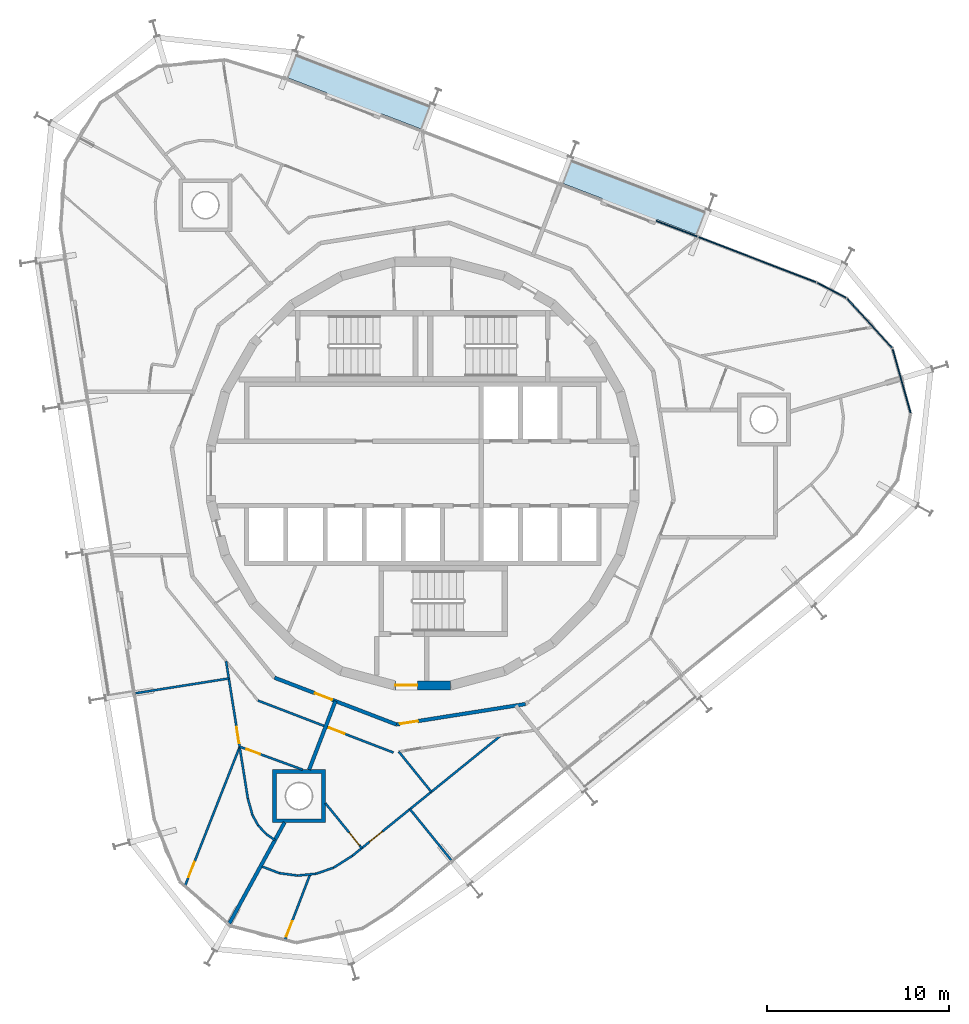
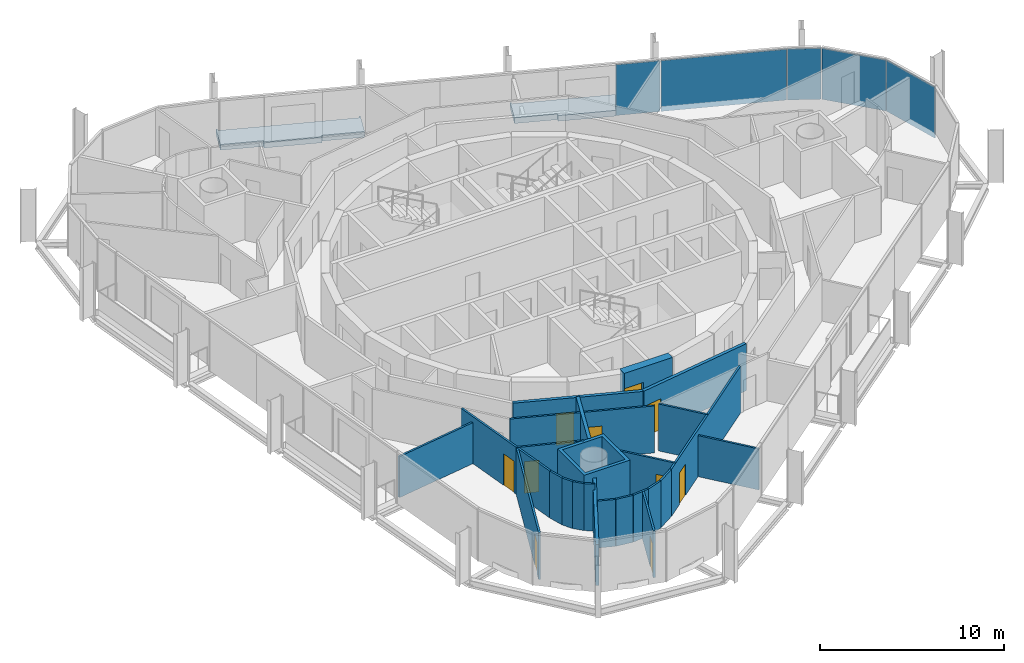
# One storey, part 11 of 17: 25 walls, 10 doors, 5 plates, 2 slabs, 10 openings, 2 elements without a shape of their own.
"""IFC4 building model written with IfcOpenShell, lengths in metres."""

from ifc_helpers import new_model, si_unit, direction, frame, frame_2d, origin, origin_2d, place, context, subcontext, project, spatial, polyline, rectangle, outline, extrude, material, layer, layer_set, type_object, element, fill, aggregate, save


model = new_model("IFC4")

# Units and contexts
model_context = context("Model", 3, precision=1e-05, world=origin(), true_north=direction((0.0, 1.0)))
body_context = subcontext(model_context, "Body", "Model", "MODEL_VIEW")
ifc_project = project(units=[si_unit("LENGTHUNIT", "METRE"), si_unit("AREAUNIT", "SQUARE_METRE"), si_unit("VOLUMEUNIT", "CUBIC_METRE"), si_unit("PLANEANGLEUNIT", "RADIAN"), si_unit("MASSUNIT", "GRAM", prefix="KILO")], contexts=[model_context])

# Site, building, storey
site_placement = place(None, origin())
site = spatial("IfcSite", under=ifc_project, at=site_placement, CompositionType="ELEMENT")
building_placement = place(site_placement, origin())
building = spatial("IfcBuilding", under=site, at=building_placement, Name="Spindle Arch Residences", CompositionType="ELEMENT")
storey_placement = place(building_placement, frame((0.0, 0.0, 266.89990234375)))
storey = spatial("IfcBuildingStorey", under=building, at=storey_placement, Name="L68", CompositionType="ELEMENT", Elevation=266.89990234375)

# Slabs
ifc_material_1 = material(Name="Concrete C40/50", Category="concrete")
ifc_layer_1 = layer(ifc_material_1, 0.3798828125)
ifc_layer_set_1 = layer_set([ifc_layer_1], Name="Balcony slab 380")
slab_type = type_object("IfcSlabType", Name="Balcony slab 380", PredefinedType="FLOOR", material=ifc_layer_set_1)
slab_1_placement = place(storey_placement, frame((0.0, 0.0, -0.3798828125)))
element("IfcSlab", 1, at=slab_1_placement, inside=storey, type_object=slab_type, Name="Balcony L68 bay 6", PredefinedType="FLOOR", context=body_context, shape_type="SweptSolid", body=[
    extrude(outline(polyline([(15.6220703125, 14.511962890625), (15.552001953125, 14.538818359375), (15.498291015625, 14.39892578125), (8.209228515625, 17.19677734375), (8.26318359375, 17.3369140625), (8.193115234375, 17.36376953125), (7.6591796875, 15.97265625), (9.8798828125, 15.120361328125), (9.822509765625, 14.970947265625), (12.81005859375, 13.823974609375), (12.867431640625, 13.973388671875), (15.088134765625, 13.12109375), (15.6220703125, 14.511962890625)])), origin(), (0.0, 0.0, 1.0), 0.3798828125),
])
slab_2_placement = place(storey_placement, frame((0.0, 0.0, -0.3798828125)))
element("IfcSlab", 2, at=slab_2_placement, inside=storey, type_object=slab_type, Name="Balcony L68 bay 8", PredefinedType="FLOOR", context=body_context, shape_type="SweptSolid", body=[
    extrude(outline(polyline([(0.48388671875, 20.322998046875), (0.413818359375, 20.349853515625), (0.360107421875, 20.2099609375), (-6.928955078125, 23.0078125), (-6.875, 23.14794921875), (-6.945068359375, 23.1748046875), (-7.47900390625, 21.78369140625), (-5.25830078125, 20.93115234375), (-5.315673828125, 20.781982421875), (-2.328125, 19.635009765625), (-2.270751953125, 19.784423828125), (-0.050048828125, 18.931884765625), (0.48388671875, 20.322998046875)])), origin(), (0.0, 0.0, 1.0), 0.3798828125),
])

# Curtain wall, plates
ifc_material_2 = material(Name="Aluminium bronze unitised frame with tinted glass", Category="aluminium")
ifc_layer_2 = layer(ifc_material_2, 0.159912109375)
ifc_layer_set_2 = layer_set([ifc_layer_2], Name="CW-D corner wall on the fillet arcs")
curtain_wall_type_1 = type_object("IfcCurtainWallType", Name="CW-D corner wall on the fillet arcs", PredefinedType="NOTDEFINED", material=ifc_layer_set_2)
curtain_wall_1_placement = place(storey_placement, origin())
curtain_wall_1 = element("IfcCurtainWall", 3, at=curtain_wall_1_placement, inside=storey, type_object=curtain_wall_type_1, Name="CW-D L68 run 1", PredefinedType="NOTDEFINED")
ifc_material_3 = material(Name="Tinted double glazing over non-combustible spandrel zone with 0.55 mm stainless steel cavity fire stop (K0)", Category="steel")
ifc_layer_3 = layer(ifc_material_3, 0.070068359375)
ifc_layer_set_3 = layer_set([ifc_layer_3], Name="Unitised glass panel with spandrel zone and stainless cavity fire stop")
plate_type = type_object("IfcPlateType", Name="Unitised glass panel with spandrel zone and stainless cavity fire stop", PredefinedType="CURTAIN_PANEL", material=ifc_layer_set_3)
plate_1_placement = place(storey_placement, frame((26.32958984375, 5.09423828125, -0.3798828125), z_axis=(0.0, 0.0, 1.0), x_axis=(-0.270040328007, 0.962849012696, 0.0)))
plate_1 = element("IfcPlate", 4, at=plate_1_placement, type_object=plate_type, Name="CW-D unit 03", PredefinedType="CURTAIN_PANEL", context=body_context, shape_type="SweptSolid", body=[
    extrude(rectangle(XDim=3.666748046875, YDim=0.070068359375, at=origin_2d()), origin(), (0.0, 0.0, 1.0), 3.3798828125),
])
plate_2_placement = place(storey_placement, frame((24.571533203125, 8.265869140625, -0.3798828125), z_axis=(0.0, 0.0, 1.0), x_axis=(-0.673442702134, 0.73923942464, 0.0)))
plate_2 = element("IfcPlate", 5, at=plate_2_placement, type_object=plate_type, Name="CW-D unit 04", PredefinedType="CURTAIN_PANEL", context=body_context, shape_type="SweptSolid", body=[
    extrude(rectangle(XDim=3.666748046875, YDim=0.070068359375, at=origin_2d()), origin(), (0.0, 0.0, 1.0), 3.3798828125),
])
plate_3_placement = place(storey_placement, frame((22.48583984375, 10.078857421875, -0.3798828125), z_axis=(0.0, 0.0, 1.0), x_axis=(-0.885663912754, 0.464326860783, 0.0)))
plate_3 = element("IfcPlate", 6, at=plate_3_placement, type_object=plate_type, Name="CW-D unit 05", PredefinedType="CURTAIN_PANEL", context=body_context, shape_type="SweptSolid", body=[
    extrude(rectangle(XDim=1.816162109375, YDim=0.070068359375, at=origin_2d()), origin(), (0.0, 0.0, 1.0), 3.3798828125),
])
plate_4_placement = place(storey_placement, frame((18.392333984375, 11.76708984375, -0.3798828125), z_axis=(0.0, 0.0, 1.0), x_axis=(-0.933580426497, 0.358367949545, 0.0)))
plate_4 = element("IfcPlate", 7, at=plate_4_placement, type_object=plate_type, Name="CW-D unit 06", PredefinedType="CURTAIN_PANEL", context=body_context, shape_type="SweptSolid", body=[
    extrude(rectangle(XDim=6.9296875, YDim=0.070068359375, at=origin_2d()), origin(), (0.0, 0.0, 1.0), 3.3798828125),
])
aggregate(curtain_wall_1, [plate_1, plate_2, plate_3, plate_4])

# Curtain wall, plate
ifc_material_4 = material(Name="Aluminium bronze unitised frame with tinted glass", Category="aluminium")
ifc_layer_4 = layer(ifc_material_4, 0.159912109375)
ifc_layer_set_4 = layer_set([ifc_layer_4], Name="CW-C typical residential unitised wall")
curtain_wall_type_2 = type_object("IfcCurtainWallType", Name="CW-C typical residential unitised wall", PredefinedType="NOTDEFINED", material=ifc_layer_set_4)
curtain_wall_2_placement = place(storey_placement, origin())
curtain_wall_2 = element("IfcCurtainWall", 8, at=curtain_wall_2_placement, inside=storey, type_object=curtain_wall_type_2, Name="CW-C L68 run 2", PredefinedType="NOTDEFINED")
plate_5_placement = place(storey_placement, frame((13.969970703125, 13.46435546875, -0.3798828125), z_axis=(0.0, 0.0, 1.0), x_axis=(-0.933580426497, 0.358367949545, 0.0)))
plate_5 = element("IfcPlate", 9, at=plate_5_placement, type_object=plate_type, Name="CW-C unit 05L", PredefinedType="CURTAIN_PANEL", context=body_context, shape_type="SweptSolid", body=[
    extrude(rectangle(XDim=2.423828125, YDim=0.070068359375, at=origin_2d()), origin(), (0.0, 0.0, 1.0), 3.3798828125),
])
aggregate(curtain_wall_2, [plate_5])

# Wall, opening, door
ifc_material_5 = material(Name="Concrete C50/60", Category="concrete")
ifc_layer_5 = layer(ifc_material_5, 0.5)
ifc_layer_set_5 = layer_set([ifc_layer_5], Name="Core outline wall 500")
wall_type_1 = type_object("IfcWallType", Name="Core outline wall 500", PredefinedType="SHEAR", material=ifc_layer_set_5)
wall_1_placement = place(storey_placement, frame((-1.516357421875, -11.647216796875, 0.0), z_axis=(0.0, 0.0, 1.0), x_axis=(1.0, 0.0, 0.0)))
wall_1 = element("IfcWall", 10, at=wall_1_placement, inside=storey, type_object=wall_type_1, Name="Core outline wall 24", PredefinedType="SHEAR", context=body_context, shape_type="SweptSolid", body=[
    extrude(rectangle(XDim=3.03271484375, YDim=0.5, at=frame_2d((1.516357421875, 0.0))), origin(), (0.0, 0.0, 1.0), 3.1201171875),
])
opening_1_placement = place(wall_1_placement, frame((0.016357421875, 0.0, 0.0)))
opening_1 = element("IfcOpeningElement", 11, at=opening_1_placement, cuts=wall_1, Name="Opening R7A1-AD03", PredefinedType="OPENING", context=body_context, shape_type="SweptSolid", body=[
    extrude(rectangle(XDim=1.199951171875, YDim=2.10009765625, at=frame_2d((0.60009765625, 1.050048828125))), frame((0.0, 0.260009765625, 0.0), z_axis=(0.0, -1.0, 0.0), x_axis=(1.0, 0.0, 0.0)), (0.0, 0.0, 1.0), 0.52001953125),
])
ifc_material_6 = material(Name="Steel, fire-resisting door", Category="steel")
door_type_1 = type_object("IfcDoorType", Name="Stair airlock door 1200x2100", OperationType="SINGLE_SWING_LEFT", PredefinedType="DOOR", material=ifc_material_6)
door_1_placement = place(opening_1_placement, origin())
door_1 = element("IfcDoor", 12, at=door_1_placement, inside=storey, type_object=door_type_1, Name="Stair airlock door R7A1-AD03", OperationType="SINGLE_SWING_RIGHT", OverallHeight=2.10009765625, OverallWidth=1.199951171875, PredefinedType="DOOR", context=body_context, shape_type="SweptSolid", body=[
    extrude(rectangle(XDim=1.199951171875, YDim=2.10009765625, at=frame_2d((0.60009765625, 1.050048828125))), frame((0.0, 0.02490234375, 0.0), z_axis=(0.0, -1.0, 0.0), x_axis=(1.0, 0.0, 0.0)), (0.0, 0.0, 1.0), 0.050048828125),
])
fill(opening_1, door_1)

ifc_material_7 = material(Name="Calcium silicate block, plastered")
ifc_layer_6 = layer(ifc_material_7, 0.199951171875)
ifc_layer_set_6 = layer_set([ifc_layer_6], Name="Corridor wall 200")
wall_type_2 = type_object("IfcWallType", Name="Corridor wall 200", PredefinedType="STANDARD", material=ifc_layer_set_6)
wall_2_placement = place(storey_placement, frame((-8.154296875, -11.223388671875, 0.0), z_axis=(0.0, 0.0, 1.0), x_axis=(0.93359073609, -0.358341090983, 0.0)))
wall_2 = element("IfcWall", 13, at=wall_2_placement, inside=storey, type_object=wall_type_2, Name="Corridor wall R7A1-W013", PredefinedType="STANDARD", context=body_context, shape_type="SweptSolid", body=[
    extrude(rectangle(XDim=7.180908203125, YDim=0.199951171875, at=frame_2d((3.59033203125, 0.0))), origin(), (0.0, 0.0, 1.0), 3.1201171875),
])
opening_2_placement = place(wall_2_placement, frame((2.390380859375, 0.0, 0.0)))
opening_2 = element("IfcOpeningElement", 14, at=opening_2_placement, cuts=wall_2, Name="Opening R7A1-FD04", PredefinedType="OPENING", context=body_context, shape_type="SweptSolid", body=[
    extrude(rectangle(XDim=1.0, YDim=2.10009765625, at=frame_2d((0.5, 1.050048828125))), frame((0.0, 0.10986328125, 0.0), z_axis=(0.0, -1.0, 0.0), x_axis=(1.0, 0.0, 0.0)), (0.0, 0.0, 1.0), 0.219970703125),
])
ifc_material_8 = material(Name="Timber, fire-resisting door set", Category="wood")
door_type_2 = type_object("IfcDoorType", Name="Flat entrance door 1000x2100", OperationType="NOTDEFINED", PredefinedType="DOOR", material=ifc_material_8)
door_2_placement = place(opening_2_placement, origin())
door_2 = element("IfcDoor", 15, at=door_2_placement, inside=storey, type_object=door_type_2, Name="Flat entrance door R7A1-FD04", OperationType="SINGLE_SWING_RIGHT", OverallHeight=2.10009765625, OverallWidth=1.0, PredefinedType="DOOR", context=body_context, shape_type="SweptSolid", body=[
    extrude(rectangle(XDim=1.0, YDim=2.10009765625, at=frame_2d((0.5, 1.050048828125))), frame((0.0, 0.02490234375, 0.0), z_axis=(0.0, -1.0, 0.0), x_axis=(1.0, 0.0, 0.0)), (0.0, 0.0, 1.0), 0.050048828125),
])
fill(opening_2, door_2)

wall_3_placement = place(storey_placement, frame((-1.4501953125, -13.796630859375, 0.0), z_axis=(0.0, 0.0, 1.0), x_axis=(0.987690361611, 0.156421704315, 0.0)))
wall_3 = element("IfcWall", 16, at=wall_3_placement, inside=storey, type_object=wall_type_2, Name="Corridor wall R7A1-W014", PredefinedType="STANDARD", context=body_context, shape_type="SweptSolid", body=[
    extrude(rectangle(XDim=7.18115234375, YDim=0.199951171875, at=frame_2d((3.590576171875, 0.0))), origin(), (0.0, 0.0, 1.0), 3.1201171875),
])
opening_3_placement = place(wall_3_placement, frame((0.199951171875, 0.0, 0.0)))
opening_3 = element("IfcOpeningElement", 17, at=opening_3_placement, cuts=wall_3, Name="Opening R7A1-FD05", PredefinedType="OPENING", context=body_context, shape_type="SweptSolid", body=[
    extrude(rectangle(XDim=1.0, YDim=2.10009765625, at=frame_2d((0.5, 1.050048828125))), frame((0.0, 0.10986328125, 0.0), z_axis=(0.0, -1.0, 0.0), x_axis=(1.0, 0.0, 0.0)), (0.0, 0.0, 1.0), 0.219970703125),
])
door_3_placement = place(opening_3_placement, origin())
door_3 = element("IfcDoor", 18, at=door_3_placement, inside=storey, type_object=door_type_2, Name="Flat entrance door R7A1-FD05", OperationType="SINGLE_SWING_LEFT", OverallHeight=2.10009765625, OverallWidth=1.0, PredefinedType="DOOR", context=body_context, shape_type="SweptSolid", body=[
    extrude(rectangle(XDim=1.0, YDim=2.10009765625, at=frame_2d((0.5, 1.050048828125))), frame((0.0, 0.02490234375, 0.0), z_axis=(0.0, -1.0, 0.0), x_axis=(1.0, 0.0, 0.0)), (0.0, 0.0, 1.0), 0.050048828125),
])
fill(opening_3, door_3)

ifc_material_9 = material(Name="Plasterboard on steel studs", Category="steel")
ifc_layer_7 = layer(ifc_material_9, 0.1201171875)
ifc_layer_set_7 = layer_set([ifc_layer_7], Name="Flat partition 120")
wall_type_3 = type_object("IfcWallType", Name="Flat partition 120", PredefinedType="PARTITIONING", material=ifc_layer_set_7)
wall_4_placement = place(storey_placement, frame((-9.06689453125, -12.4794921875, 0.0), z_axis=(0.0, 0.0, 1.0), x_axis=(0.933579449035, -0.358370495911, 0.0)))
wall_4 = element("IfcWall", 19, at=wall_4_placement, inside=storey, type_object=wall_type_3, Name="Flat partition R7A1-W065", PredefinedType="PARTITIONING", context=body_context, shape_type="SweptSolid", body=[
    extrude(rectangle(XDim=7.98486328125, YDim=0.1201171875, at=frame_2d((3.992431640625, 0.0))), origin(), (0.0, 0.0, 1.0), 3.1201171875),
])
opening_4_placement = place(wall_4_placement, frame((4.1923828125, 0.0, 0.0)))
opening_4 = element("IfcOpeningElement", 20, at=opening_4_placement, cuts=wall_4, Name="Opening R7A1-ID18", PredefinedType="OPENING", context=body_context, shape_type="SweptSolid", body=[
    extrude(rectangle(XDim=0.89990234375, YDim=2.10009765625, at=frame_2d((0.449951171875, 1.050048828125))), frame((0.0, 0.070068359375, 0.0), z_axis=(0.0, -1.0, 0.0), x_axis=(1.0, 0.0, 0.0)), (0.0, 0.0, 1.0), 0.14013671875),
])
ifc_material_10 = material(Name="Timber door set", Category="wood")
door_type_3 = type_object("IfcDoorType", Name="Room door 900x2100", OperationType="NOTDEFINED", PredefinedType="DOOR", material=ifc_material_10)
door_4_placement = place(opening_4_placement, origin())
door_4 = element("IfcDoor", 21, at=door_4_placement, inside=storey, type_object=door_type_3, Name="Room door R7A1-ID18", OperationType="SINGLE_SWING_RIGHT", OverallHeight=2.10009765625, OverallWidth=0.89990234375, PredefinedType="DOOR", context=body_context, shape_type="SweptSolid", body=[
    extrude(rectangle(XDim=0.89990234375, YDim=2.10009765625, at=frame_2d((0.449951171875, 1.050048828125))), frame((0.0, 0.02490234375, 0.0), z_axis=(0.0, -1.0, 0.0), x_axis=(1.0, 0.0, 0.0)), (0.0, 0.0, 1.0), 0.050048828125),
])
fill(opening_4, door_4)

wall_5_placement = place(storey_placement, frame((-9.619384765625, -17.87060546875, 0.0), z_axis=(0.0, 0.0, 1.0), x_axis=(-0.156433255633, 0.987688532146, 0.0)))
wall_5 = element("IfcWall", 22, at=wall_5_placement, inside=storey, type_object=wall_type_3, Name="Flat partition R7A1-W067", PredefinedType="PARTITIONING", context=body_context, shape_type="SweptSolid", body=[
    extrude(rectangle(XDim=7.64404296875, YDim=0.1201171875, at=frame_2d((3.822021484375, 0.0))), origin(), (0.0, 0.0, 1.0), 3.1201171875),
])
opening_5_placement = place(wall_5_placement, frame((3.08740234375, 0.0, 0.0)))
opening_5 = element("IfcOpeningElement", 23, at=opening_5_placement, cuts=wall_5, Name="Opening R7A1-ID16", PredefinedType="OPENING", context=body_context, shape_type="SweptSolid", body=[
    extrude(rectangle(XDim=0.89990234375, YDim=2.10009765625, at=frame_2d((0.449951171875, 1.050048828125))), frame((0.0, 0.070068359375, 0.0), z_axis=(0.0, -1.0, 0.0), x_axis=(1.0, 0.0, 0.0)), (0.0, 0.0, 1.0), 0.14013671875),
])
door_5_placement = place(opening_5_placement, origin())
door_5 = element("IfcDoor", 24, at=door_5_placement, inside=storey, type_object=door_type_3, Name="Room door R7A1-ID16", OperationType="SINGLE_SWING_RIGHT", OverallHeight=2.10009765625, OverallWidth=0.89990234375, PredefinedType="DOOR", context=body_context, shape_type="SweptSolid", body=[
    extrude(rectangle(XDim=0.89990234375, YDim=2.10009765625, at=frame_2d((0.449951171875, 1.050048828125))), frame((0.0, 0.02490234375, 0.0), z_axis=(0.0, -1.0, 0.0), x_axis=(1.0, 0.0, 0.0)), (0.0, 0.0, 1.0), 0.050048828125),
])
fill(opening_5, door_5)

wall_6_placement = place(storey_placement, frame((-13.0673828125, -22.658203125, 0.0), z_axis=(0.0, 0.0, 1.0), x_axis=(0.365785999331, 0.930698986082, 0.0)))
wall_6 = element("IfcWall", 25, at=wall_6_placement, inside=storey, type_object=wall_type_3, Name="Flat partition R7A1-W068", PredefinedType="PARTITIONING", context=body_context, shape_type="SweptSolid", body=[
    extrude(rectangle(XDim=8.1962890625, YDim=0.1201171875, at=frame_2d((4.09814453125, 0.0))), origin(), (0.0, 0.0, 1.0), 3.1201171875),
])
opening_6_placement = place(wall_6_placement, frame((0.5, 0.0, 0.0)))
opening_6 = element("IfcOpeningElement", 26, at=opening_6_placement, cuts=wall_6, Name="Opening R7A1-ID17", PredefinedType="OPENING", context=body_context, shape_type="SweptSolid", body=[
    extrude(rectangle(XDim=0.89990234375, YDim=2.10009765625, at=frame_2d((0.449951171875, 1.050048828125))), frame((0.0, 0.070068359375, 0.0), z_axis=(0.0, -1.0, 0.0), x_axis=(1.0, 0.0, 0.0)), (0.0, 0.0, 1.0), 0.14013671875),
])
door_6_placement = place(opening_6_placement, origin())
door_6 = element("IfcDoor", 27, at=door_6_placement, inside=storey, type_object=door_type_3, Name="Room door R7A1-ID17", OperationType="SINGLE_SWING_RIGHT", OverallHeight=2.10009765625, OverallWidth=0.89990234375, PredefinedType="DOOR", context=body_context, shape_type="SweptSolid", body=[
    extrude(rectangle(XDim=0.89990234375, YDim=2.10009765625, at=frame_2d((0.449951171875, 1.050048828125))), frame((0.0, 0.02490234375, 0.0), z_axis=(0.0, -1.0, 0.0), x_axis=(1.0, 0.0, 0.0)), (0.0, 0.0, 1.0), 0.050048828125),
])
fill(opening_6, door_6)

wall_7_placement = place(storey_placement, frame((-10.0712890625, -15.018798828125, 0.0), z_axis=(0.0, 0.0, 1.0), x_axis=(0.939648507355, -0.34214131967, 0.0)))
wall_7 = element("IfcWall", 28, at=wall_7_placement, inside=storey, type_object=wall_type_3, Name="Flat partition R7A1-W069", PredefinedType="PARTITIONING", context=body_context, shape_type="SweptSolid", body=[
    extrude(rectangle(XDim=3.691162109375, YDim=0.1201171875, at=frame_2d((1.845703125, 0.0))), origin(), (0.0, 0.0, 1.0), 3.1201171875),
])
opening_7_placement = place(wall_7_placement, frame((0.39990234375, 0.0, 0.0)))
opening_7 = element("IfcOpeningElement", 29, at=opening_7_placement, cuts=wall_7, Name="Opening R7A1-BD04", PredefinedType="OPENING", context=body_context, shape_type="SweptSolid", body=[
    extrude(rectangle(XDim=0.800048828125, YDim=2.10009765625, at=frame_2d((0.39990234375, 1.050048828125))), frame((0.0, 0.070068359375, 0.0), z_axis=(0.0, -1.0, 0.0), x_axis=(1.0, 0.0, 0.0)), (0.0, 0.0, 1.0), 0.14013671875),
])
ifc_material_11 = material(Name="Timber door set", Category="wood")
door_type_4 = type_object("IfcDoorType", Name="Bathroom door 800x2100", OperationType="NOTDEFINED", PredefinedType="DOOR", material=ifc_material_11)
door_7_placement = place(opening_7_placement, origin())
door_7 = element("IfcDoor", 30, at=door_7_placement, inside=storey, type_object=door_type_4, Name="Bathroom door R7A1-BD04", OperationType="SINGLE_SWING_RIGHT", OverallHeight=2.10009765625, OverallWidth=0.800048828125, PredefinedType="DOOR", context=body_context, shape_type="SweptSolid", body=[
    extrude(rectangle(XDim=0.800048828125, YDim=2.10009765625, at=frame_2d((0.39990234375, 1.050048828125))), frame((0.0, 0.02490234375, 0.0), z_axis=(0.0, -1.0, 0.0), x_axis=(1.0, 0.0, 0.0)), (0.0, 0.0, 1.0), 0.050048828125),
])
fill(opening_7, door_7)

# Walls
wall_8_placement = place(storey_placement, frame((-8.13037109375, -20.15283203125, 0.0), z_axis=(0.0, 0.0, 1.0), x_axis=(-0.825599905246, 0.564255967145, 0.0)))
element("IfcWall", 31, at=wall_8_placement, inside=storey, type_object=wall_type_3, Name="Flat partition R7A1-W070", PredefinedType="PARTITIONING", context=body_context, shape_type="SweptSolid", body=[
    extrude(rectangle(XDim=0.59326171875, YDim=0.1201171875, at=frame_2d((0.296630859375, 0.0))), origin(), (0.0, 0.0, 1.0), 3.1201171875),
])
for number, where, z_axis, x_axis, name in (
    (32, (-8.6201171875, -19.818115234375, 0.0), (0.0, 0.0, 1.0), (-0.673448438961, 0.739234198385, 0.0), "Flat partition R7A1-W071"),
    (33, (-9.052490234375, -19.343505859375, 0.0), (0.0, 0.0, 1.0), (-0.485126357712, 0.874444061706, 0.0), "Flat partition R7A1-W072"),
):
    element("IfcWall", number, at=place(storey_placement, frame(where, z_axis=z_axis, x_axis=x_axis)), inside=storey, type_object=wall_type_3, Name=name, PredefinedType="PARTITIONING", context=body_context, shape_type="SweptSolid", body=[
        extrude(rectangle(XDim=0.64208984375, YDim=0.1201171875, at=frame_2d((0.321044921875, 0.0))), origin(), (0.0, 0.0, 1.0), 3.1201171875),
    ])
wall_9_placement = place(storey_placement, frame((-9.364013671875, -18.781982421875, 0.0), z_axis=(0.0, 0.0, 1.0), x_axis=(-0.269811707714, 0.962913102196, 0.0)))
element("IfcWall", 34, at=wall_9_placement, inside=storey, type_object=wall_type_3, Name="Flat partition R7A1-W073", PredefinedType="PARTITIONING", context=body_context, shape_type="SweptSolid", body=[
    extrude(rectangle(XDim=0.946533203125, YDim=0.1201171875, at=frame_2d((0.47314453125, 0.0))), origin(), (0.0, 0.0, 1.0), 3.1201171875),
])
wall_10_placement = place(storey_placement, frame((-5.8720703125, -22.006103515625, 0.0), z_axis=(0.0, 0.0, 1.0), x_axis=(-0.99510832942, -0.09878973995, 0.0)))
element("IfcWall", 35, at=wall_10_placement, inside=storey, type_object=wall_type_3, Name="Flat partition R7A1-W075", PredefinedType="PARTITIONING", context=body_context, shape_type="SweptSolid", body=[
    extrude(rectangle(XDim=1.015625, YDim=0.1201171875, at=frame_2d((0.5078125, 0.0))), origin(), (0.0, 0.0, 1.0), 3.1201171875),
])
wall_11_placement = place(storey_placement, frame((-6.8828125, -22.1064453125, 0.0), z_axis=(0.0, 0.0, 1.0), x_axis=(-0.991069822827, 0.133343939799, 0.0)))
element("IfcWall", 36, at=wall_11_placement, inside=storey, type_object=wall_type_3, Name="Flat partition R7A1-W076", PredefinedType="PARTITIONING", context=body_context, shape_type="SweptSolid", body=[
    extrude(rectangle(XDim=1.01611328125, YDim=0.1201171875, at=frame_2d((0.508056640625, 0.0))), origin(), (0.0, 0.0, 1.0), 3.1201171875),
])
wall_12_placement = place(storey_placement, frame((-7.889892578125, -21.970947265625, 0.0), z_axis=(0.0, 0.0, 1.0), x_axis=(-0.933574629243, 0.358383051545, 0.0)))
element("IfcWall", 37, at=wall_12_placement, inside=storey, type_object=wall_type_3, Name="Flat partition R7A1-W077", PredefinedType="PARTITIONING", context=body_context, shape_type="SweptSolid", body=[
    extrude(rectangle(XDim=1.015625, YDim=0.1201171875, at=frame_2d((0.5078125, 0.0))), origin(), (0.0, 0.0, 1.0), 3.1201171875),
])

# Wall, opening, door
wall_13_placement = place(storey_placement, frame((-7.57861328125, -25.6455078125, 0.0), z_axis=(0.0, 0.0, 1.0), x_axis=(0.358314257596, 0.933601035134, 0.0)))
wall_13 = element("IfcWall", 38, at=wall_13_placement, inside=storey, type_object=wall_type_3, Name="Flat partition R7A1-W078", PredefinedType="PARTITIONING", context=body_context, shape_type="SweptSolid", body=[
    extrude(rectangle(XDim=3.864013671875, YDim=0.1201171875, at=frame_2d((1.93212890625, 0.0))), origin(), (0.0, 0.0, 1.0), 3.1201171875),
])
opening_8_placement = place(wall_13_placement, frame((0.199951171875, 0.0, 0.0)))
opening_8 = element("IfcOpeningElement", 39, at=opening_8_placement, cuts=wall_13, Name="Opening R7A1-ID22", PredefinedType="OPENING", context=body_context, shape_type="SweptSolid", body=[
    extrude(rectangle(XDim=0.89990234375, YDim=2.10009765625, at=frame_2d((0.449951171875, 1.050048828125))), frame((0.0, 0.070068359375, 0.0), z_axis=(0.0, -1.0, 0.0), x_axis=(1.0, 0.0, 0.0)), (0.0, 0.0, 1.0), 0.14013671875),
])
door_8_placement = place(opening_8_placement, origin())
door_8 = element("IfcDoor", 40, at=door_8_placement, inside=storey, type_object=door_type_3, Name="Room door R7A1-ID22", OperationType="SINGLE_SWING_LEFT", OverallHeight=2.10009765625, OverallWidth=0.89990234375, PredefinedType="DOOR", context=body_context, shape_type="SweptSolid", body=[
    extrude(rectangle(XDim=0.89990234375, YDim=2.10009765625, at=frame_2d((0.449951171875, 1.050048828125))), frame((0.0, 0.02490234375, 0.0), z_axis=(0.0, -1.0, 0.0), x_axis=(1.0, 0.0, 0.0)), (0.0, 0.0, 1.0), 0.050048828125),
])
fill(opening_8, door_8)

wall_14_placement = place(storey_placement, frame((-3.35400390625, -20.597412109375, 0.0), z_axis=(0.0, 0.0, 1.0), x_axis=(-0.629352711751, 0.777119787556, 0.0)))
wall_14 = element("IfcWall", 41, at=wall_14_placement, inside=storey, type_object=wall_type_3, Name="Flat partition R7A1-W079", PredefinedType="PARTITIONING", context=body_context, shape_type="SweptSolid", body=[
    extrude(rectangle(XDim=3.18212890625, YDim=0.1201171875, at=frame_2d((1.591064453125, 0.0))), origin(), (0.0, 0.0, 1.0), 3.1201171875),
])
opening_9_placement = place(wall_14_placement, frame((0.199951171875, 0.0, 0.0)))
opening_9 = element("IfcOpeningElement", 42, at=opening_9_placement, cuts=wall_14, Name="Opening R7A1-ID20", PredefinedType="OPENING", context=body_context, shape_type="SweptSolid", body=[
    extrude(rectangle(XDim=0.89990234375, YDim=2.10009765625, at=frame_2d((0.449951171875, 1.050048828125))), frame((0.0, 0.070068359375, 0.0), z_axis=(0.0, -1.0, 0.0), x_axis=(1.0, 0.0, 0.0)), (0.0, 0.0, 1.0), 0.14013671875),
])
door_9_placement = place(opening_9_placement, origin())
door_9 = element("IfcDoor", 43, at=door_9_placement, inside=storey, type_object=door_type_3, Name="Room door R7A1-ID20", OperationType="SINGLE_SWING_LEFT", OverallHeight=2.10009765625, OverallWidth=0.89990234375, PredefinedType="DOOR", context=body_context, shape_type="SweptSolid", body=[
    extrude(rectangle(XDim=0.89990234375, YDim=2.10009765625, at=frame_2d((0.449951171875, 1.050048828125))), frame((0.0, 0.02490234375, 0.0), z_axis=(0.0, -1.0, 0.0), x_axis=(1.0, 0.0, 0.0)), (0.0, 0.0, 1.0), 0.050048828125),
])
fill(opening_9, door_9)

# Walls
wall_15_placement = place(storey_placement, frame((-5.8720703125, -22.006103515625, 0.0), z_axis=(0.0, 0.0, 1.0), x_axis=(0.945561838326, 0.325442483247, 0.0)))
element("IfcWall", 44, at=wall_15_placement, inside=storey, type_object=wall_type_3, Name="Flat partition R7A1-W080", PredefinedType="PARTITIONING", context=body_context, shape_type="SweptSolid", body=[
    extrude(rectangle(XDim=1.015625, YDim=0.1201171875, at=frame_2d((0.5078125, 0.0))), origin(), (0.0, 0.0, 1.0), 3.1201171875),
])
wall_16_placement = place(storey_placement, frame((-4.91162109375, -21.675537109375, 0.0), z_axis=(0.0, 0.0, 1.0), x_axis=(0.84494492492, 0.534853319941, 0.0)))
element("IfcWall", 45, at=wall_16_placement, inside=storey, type_object=wall_type_3, Name="Flat partition R7A1-W081", PredefinedType="PARTITIONING", context=body_context, shape_type="SweptSolid", body=[
    extrude(rectangle(XDim=1.2275390625, YDim=0.1201171875, at=frame_2d((0.61376953125, 0.0))), origin(), (0.0, 0.0, 1.0), 3.1201171875),
])

# Wall, opening, door
wall_17_placement = place(storey_placement, frame((-3.87451171875, -21.01904296875, 0.0), z_axis=(0.0, 0.0, 1.0), x_axis=(0.777149096542, 0.629316519523, 0.0)))
wall_17 = element("IfcWall", 46, at=wall_17_placement, inside=storey, type_object=wall_type_3, Name="Flat partition R7A1-W082", PredefinedType="PARTITIONING", context=body_context, shape_type="SweptSolid", body=[
    extrude(rectangle(XDim=10.50830078125, YDim=0.1201171875, at=frame_2d((5.254150390625, 0.0))), origin(), (0.0, 0.0, 1.0), 3.1201171875),
])
opening_10_placement = place(wall_17_placement, frame((1.22998046875, 0.0, 0.0)))
opening_10 = element("IfcOpeningElement", 47, at=opening_10_placement, cuts=wall_17, Name="Opening R7A1-ID21", PredefinedType="OPENING", context=body_context, shape_type="SweptSolid", body=[
    extrude(rectangle(XDim=0.89990234375, YDim=2.10009765625, at=frame_2d((0.449951171875, 1.050048828125))), frame((0.0, 0.070068359375, 0.0), z_axis=(0.0, -1.0, 0.0), x_axis=(1.0, 0.0, 0.0)), (0.0, 0.0, 1.0), 0.14013671875),
])
door_10_placement = place(opening_10_placement, origin())
door_10 = element("IfcDoor", 48, at=door_10_placement, inside=storey, type_object=door_type_3, Name="Room door R7A1-ID21", OperationType="SINGLE_SWING_LEFT", OverallHeight=2.10009765625, OverallWidth=0.89990234375, PredefinedType="DOOR", context=body_context, shape_type="SweptSolid", body=[
    extrude(rectangle(XDim=0.89990234375, YDim=2.10009765625, at=frame_2d((0.449951171875, 1.050048828125))), frame((0.0, 0.02490234375, 0.0), z_axis=(0.0, -1.0, 0.0), x_axis=(1.0, 0.0, 0.0)), (0.0, 0.0, 1.0), 0.050048828125),
])
fill(opening_10, door_10)

# Walls
wall_18_placement = place(storey_placement, frame((0.468994140625, -17.501708984375, 0.0), z_axis=(0.0, 0.0, 1.0), x_axis=(-0.629307025607, 0.777156784389, 0.0)))
element("IfcWall", 49, at=wall_18_placement, inside=storey, type_object=wall_type_3, Name="Flat partition R7A1-W083", PredefinedType="PARTITIONING", context=body_context, shape_type="SweptSolid", body=[
    extrude(rectangle(XDim=2.840087890625, YDim=0.1201171875, at=frame_2d((1.419921875, 0.0))), origin(), (0.0, 0.0, 1.0), 3.1201171875),
])
ifc_material_12 = material(Name="Plasterboard on steel studs", Category="steel")
ifc_layer_8 = layer(ifc_material_12, 0.1201171875)
ifc_layer_set_8 = layer_set([ifc_layer_8], Name="Flat partition 120 under beam 2730")
wall_type_4 = type_object("IfcWallType", Name="Flat partition 120 under beam 2730", PredefinedType="PARTITIONING", material=ifc_layer_set_8)
wall_19_placement = place(storey_placement, frame((-15.801513671875, -12.07958984375, 0.0), z_axis=(0.0, 0.0, 1.0), x_axis=(0.987687857978, 0.156437512135, 0.0)))
element("IfcWall", 50, at=wall_19_placement, inside=storey, type_object=wall_type_4, Name="Flat partition R7A1-W066", PredefinedType="PARTITIONING", context=body_context, shape_type="SweptSolid", body=[
    extrude(rectangle(XDim=5.199951171875, YDim=0.1201171875, at=frame_2d((2.60009765625, 0.0))), origin(), (0.0, 0.0, 1.0), 2.72998046875),
])
wall_20_placement = place(storey_placement, frame((1.559814453125, -21.250732421875, 0.0), z_axis=(0.0, 0.0, 1.0), x_axis=(-0.62934843781, 0.7771232488, 0.0)))
element("IfcWall", 51, at=wall_20_placement, inside=storey, type_object=wall_type_4, Name="Flat partition R7A1-W084", PredefinedType="PARTITIONING", context=body_context, shape_type="SweptSolid", body=[
    extrude(rectangle(XDim=3.599853515625, YDim=0.1201171875, at=frame_2d((1.7998046875, 0.0))), origin(), (0.0, 0.0, 1.0), 2.72998046875),
])
ifc_material_13 = material(Name="Calcium silicate block, plastered")
ifc_layer_9 = layer(ifc_material_13, 0.199951171875)
ifc_layer_set_9 = layer_set([ifc_layer_9], Name="Flat party wall 200")
wall_type_5 = type_object("IfcWallType", Name="Flat party wall 200", PredefinedType="STANDARD", material=ifc_layer_set_9)
wall_21_placement = place(storey_placement, frame((-6.25, -16.28173828125, 0.0), z_axis=(0.0, 0.0, 1.0), x_axis=(0.358351333512, 0.933586804625, 0.0)))
element("IfcWall", 52, at=wall_21_placement, inside=storey, type_object=wall_type_5, Name="Flat party wall R7A1-W027", PredefinedType="STANDARD", context=body_context, shape_type="SweptSolid", body=[
    extrude(rectangle(XDim=4.0400390625, YDim=0.199951171875, at=frame_2d((2.02001953125, 0.0))), origin(), (0.0, 0.0, 1.0), 3.1201171875),
])
ifc_material_14 = material(Name="Calcium silicate block, plastered")
ifc_layer_10 = layer(ifc_material_14, 0.199951171875)
ifc_layer_set_10 = layer_set([ifc_layer_10], Name="Flat party wall 200 under beam 2730")
wall_type_6 = type_object("IfcWallType", Name="Flat party wall 200 under beam 2730", PredefinedType="STANDARD", material=ifc_layer_set_10)
wall_22_placement = place(storey_placement, frame((-10.636962890625, -24.738037109375, 0.0), z_axis=(0.0, 0.0, 1.0), x_axis=(0.479683887596, 0.877441375808, 0.0)))
element("IfcWall", 53, at=wall_22_placement, inside=storey, type_object=wall_type_6, Name="Flat party wall R7A1-W028", PredefinedType="STANDARD", context=body_context, shape_type="SweptSolid", body=[
    extrude(rectangle(XDim=6.33251953125, YDim=0.199951171875, at=frame_2d((3.166259765625, 0.0))), origin(), (0.0, 0.0, 1.0), 2.72998046875),
])
ifc_material_15 = material(Name="Calcium silicate block, plastered")
ifc_layer_11 = layer(ifc_material_15, 0.199951171875)
ifc_layer_set_11 = layer_set([ifc_layer_11], Name="Mega-column casing wall 200")
wall_type_7 = type_object("IfcWallType", Name="Mega-column casing wall 200", PredefinedType="STANDARD", material=ifc_layer_set_11)
wall_23_placement = place(storey_placement, origin())
element("IfcWall", 54, at=wall_23_placement, inside=storey, type_object=wall_type_7, Name="Mega-column casing wall R7A1-WC03", PredefinedType="STANDARD", context=body_context, shape_type="SweptSolid", body=[
    extrude(outline(polyline([(-5.356689453125, -16.28173828125), (-5.356689453125, -19.181640625), (-8.256591796875, -19.181640625), (-8.256591796875, -16.28173828125), (-5.356689453125, -16.28173828125)]), holes=[polyline([(-8.056640625, -18.981689453125), (-5.556640625, -18.981689453125), (-5.556640625, -16.481689453125), (-8.056640625, -16.481689453125), (-8.056640625, -18.981689453125)])]), origin(), (0.0, 0.0, 1.0), 3.1201171875),
])

save(model, "model.ifc")
